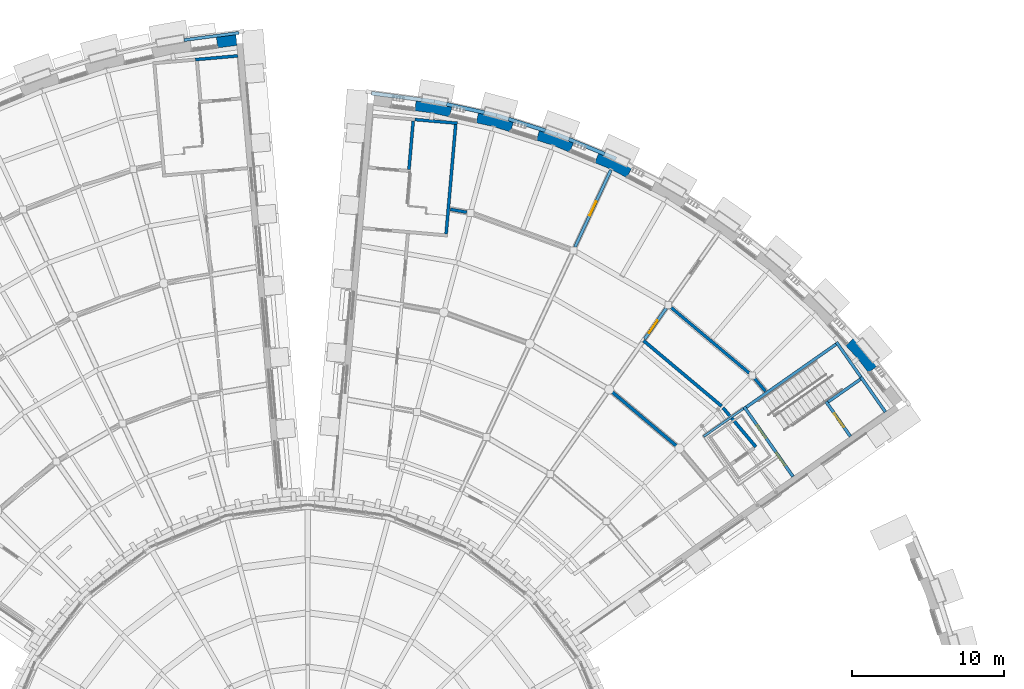
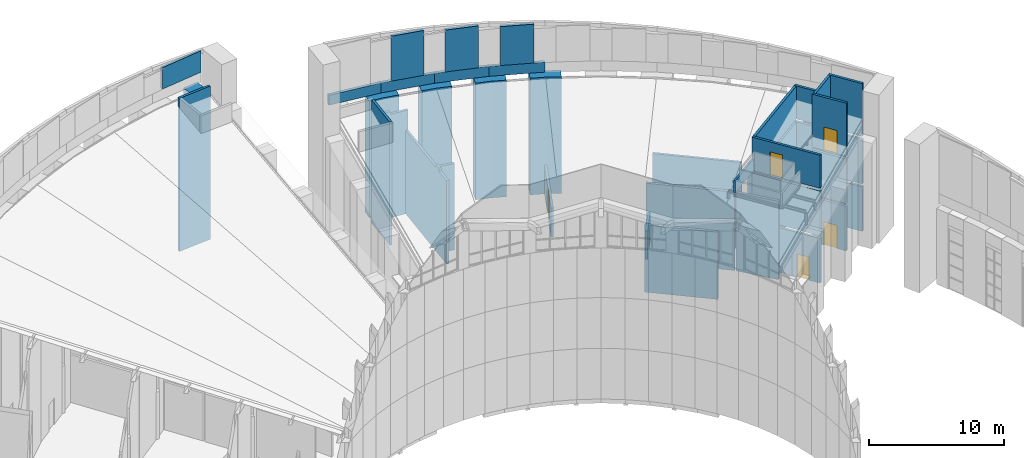
# One storey, part 61 of 82: 45 walls, 6 doors, 6 openings.
"""IFC4 building model written with IfcOpenShell, lengths in metres."""

from ifc_helpers import new_model, si_unit, direction, frame, frame_2d, origin, place, context, subcontext, project, spatial, polyline, rectangle, outline, extrude, material, layer, layer_set, type_object, element, fill, save


model = new_model("IFC4")

# Units and contexts
model_context = context("Model", 3, precision=1e-05, world=origin(), true_north=direction((0.0, 1.0)))
body_context = subcontext(model_context, "Body", "Model", "MODEL_VIEW")
ifc_project = project(units=[si_unit("LENGTHUNIT", "METRE"), si_unit("AREAUNIT", "SQUARE_METRE"), si_unit("VOLUMEUNIT", "CUBIC_METRE"), si_unit("PLANEANGLEUNIT", "RADIAN"), si_unit("MASSUNIT", "GRAM", prefix="KILO")], contexts=[model_context])

# Site, building, storey
site_placement = place(None, origin())
site = spatial("IfcSite", under=ifc_project, at=site_placement, CompositionType="ELEMENT")
building_placement = place(site_placement, origin())
building = spatial("IfcBuilding", under=site, at=building_placement, Name="Volute Hill Aquarium", CompositionType="ELEMENT")
storey_placement = place(building_placement, frame((0.0, 0.0, 13.800048828125)))
storey = spatial("IfcBuildingStorey", under=building, at=storey_placement, Name="L04", CompositionType="ELEMENT", Elevation=13.800048828125)

# Wall, opening, door
ifc_material_1 = material(Name="Concrete C30/37", Category="concrete")
ifc_layer_1 = layer(ifc_material_1, 0.199951171875)
ifc_layer_set_1 = layer_set([ifc_layer_1], Name="Core wall 200 REI 60")
wall_type_1 = type_object("IfcWallType", Name="Core wall 200 REI 60", PredefinedType="SHEAR", material=ifc_layer_set_1)
wall_1_placement = place(storey_placement, frame((31.873291015625, 22.56201171875, 0.0), z_axis=(0.0, 0.0, 1.0), x_axis=(-0.573599855614, 0.819135645446, 0.0)))
wall_1 = element("IfcWall", 1, at=wall_1_placement, inside=storey, type_object=wall_type_1, Name="wc/S5-A/L04/in", PredefinedType="SHEAR", context=body_context, shape_type="SweptSolid", body=[
    extrude(rectangle(XDim=5.60009765625, YDim=0.199951171875, at=frame_2d((2.800048828125, 0.0))), origin(), (0.0, 0.0, 1.0), 4.050048828125),
])
opening_1_placement = place(wall_1_placement, frame((0.89990234375, 0.0, 0.0)))
opening_1 = element("IfcOpeningElement", 2, at=opening_1_placement, cuts=wall_1, Name="Opening D5.04.AS", PredefinedType="OPENING", context=body_context, shape_type="SweptSolid", body=[
    extrude(rectangle(XDim=1.0, YDim=2.10009765625, at=frame_2d((0.5, 1.050048828125))), frame((0.0, 0.10986328125, 0.0), z_axis=(0.0, -1.0, 0.0), x_axis=(1.0, 0.0, 0.0)), (0.0, 0.0, 1.0), 0.219970703125),
])
ifc_material_2 = material(Name="Timber, fire-rated", Category="wood")
door_type_1 = type_object("IfcDoorType", Name="Door 1000 x 2100 single EI1 30", OperationType="SINGLE_SWING_LEFT", PredefinedType="DOOR", material=ifc_material_2)
door_1_placement = place(opening_1_placement, origin())
door_1 = element("IfcDoor", 3, at=door_1_placement, inside=storey, type_object=door_type_1, Name="d/S5-A/L04/st", OperationType="SINGLE_SWING_RIGHT", OverallHeight=2.10009765625, OverallWidth=1.0, PredefinedType="DOOR", context=body_context, shape_type="SweptSolid", body=[
    extrude(rectangle(XDim=1.0, YDim=2.10009765625, at=frame_2d((0.5, 1.050048828125))), frame((0.0, 0.02490234375, 0.0), z_axis=(0.0, -1.0, 0.0), x_axis=(1.0, 0.0, 0.0)), (0.0, 0.0, 1.0), 0.050048828125),
])
fill(opening_1, door_1)

# Wall
wall_2_placement = place(storey_placement, frame((31.873291015625, 22.56201171875, 4.300048828125), z_axis=(0.0, 0.0, 1.0), x_axis=(-0.573599855614, 0.819135645446, 0.0)))
element("IfcWall", 4, at=wall_2_placement, inside=storey, type_object=wall_type_1, Name="wc/S5-A/L04/in-m1", PredefinedType="SHEAR", context=body_context, shape_type="SweptSolid", body=[
    extrude(rectangle(XDim=5.60009765625, YDim=0.199951171875, at=frame_2d((2.800048828125, 0.0))), origin(), (0.0, 0.0, 1.0), 4.0498046875),
])

# Wall, opening, door
wall_3_placement = place(storey_placement, frame((31.873291015625, 22.56201171875, 8.599853515625), z_axis=(0.0, 0.0, 1.0), x_axis=(-0.573599855614, 0.819135645446, 0.0)))
wall_3 = element("IfcWall", 5, at=wall_3_placement, inside=storey, type_object=wall_type_1, Name="wc/S5-A/L04/in-h", PredefinedType="SHEAR", context=body_context, shape_type="SweptSolid", body=[
    extrude(rectangle(XDim=5.60009765625, YDim=0.199951171875, at=frame_2d((2.800048828125, 0.0))), origin(), (0.0, 0.0, 1.0), 3.0),
])
opening_2_placement = place(wall_3_placement, frame((3.10009765625, 0.0, 0.0)))
opening_2 = element("IfcOpeningElement", 6, at=opening_2_placement, cuts=wall_3, Name="Opening D5.04.AG", PredefinedType="OPENING", context=body_context, shape_type="SweptSolid", body=[
    extrude(rectangle(XDim=1.0, YDim=2.10009765625, at=frame_2d((0.5, 1.050048828125))), frame((0.0, 0.10986328125, 0.0), z_axis=(0.0, -1.0, 0.0), x_axis=(1.0, 0.0, 0.0)), (0.0, 0.0, 1.0), 0.219970703125),
])
door_2_placement = place(opening_2_placement, origin())
door_2 = element("IfcDoor", 7, at=door_2_placement, inside=storey, type_object=door_type_1, Name="d/S5-A/L04/gd", OperationType="SINGLE_SWING_LEFT", OverallHeight=2.10009765625, OverallWidth=1.0, PredefinedType="DOOR", context=body_context, shape_type="SweptSolid", body=[
    extrude(rectangle(XDim=1.0, YDim=2.10009765625, at=frame_2d((0.5, 1.050048828125))), frame((0.0, 0.02490234375, 0.0), z_axis=(0.0, -1.0, 0.0), x_axis=(1.0, 0.0, 0.0)), (0.0, 0.0, 1.0), 0.050048828125),
])
fill(opening_2, door_2)

# Walls
wall_4_placement = place(storey_placement, frame((28.80029296875, 27.124755859375, 0.0), z_axis=(0.0, 0.0, 1.0), x_axis=(0.819161821637, 0.573562472597, 0.0)))
element("IfcWall", 8, at=wall_4_placement, inside=storey, type_object=wall_type_1, Name="wc/S5-A/L04/side", PredefinedType="SHEAR", context=body_context, shape_type="SweptSolid", body=[
    extrude(rectangle(XDim=7.199951171875, YDim=0.199951171875, at=frame_2d((3.60009765625, 0.0))), origin(), (0.0, 0.0, 1.0), 4.050048828125),
])
wall_5_placement = place(storey_placement, frame((28.80029296875, 27.124755859375, 4.300048828125), z_axis=(0.0, 0.0, 1.0), x_axis=(0.819161821637, 0.573562472597, 0.0)))
element("IfcWall", 9, at=wall_5_placement, inside=storey, type_object=wall_type_1, Name="wc/S5-A/L04/side-m1", PredefinedType="SHEAR", context=body_context, shape_type="SweptSolid", body=[
    extrude(rectangle(XDim=7.199951171875, YDim=0.199951171875, at=frame_2d((3.60009765625, 0.0))), origin(), (0.0, 0.0, 1.0), 4.0498046875),
])
wall_6_placement = place(storey_placement, frame((28.80029296875, 27.124755859375, 8.599853515625), z_axis=(0.0, 0.0, 1.0), x_axis=(0.819161821637, 0.573562472597, 0.0)))
element("IfcWall", 10, at=wall_6_placement, inside=storey, type_object=wall_type_1, Name="wc/S5-A/L04/side-h", PredefinedType="SHEAR", context=body_context, shape_type="SweptSolid", body=[
    extrude(rectangle(XDim=7.199951171875, YDim=0.199951171875, at=frame_2d((3.60009765625, 0.0))), origin(), (0.0, 0.0, 1.0), 3.0),
])
wall_7_placement = place(storey_placement, frame((36.328857421875, 29.10009765625, 0.0), z_axis=(0.0, 0.0, 1.0), x_axis=(-0.573550118428, 0.819170471667, 0.0)))
element("IfcWall", 11, at=wall_7_placement, inside=storey, type_object=wall_type_1, Name="wc/S5-A/L04/out-b", PredefinedType="SHEAR", context=body_context, shape_type="SweptSolid", body=[
    extrude(rectangle(XDim=2.800048828125, YDim=0.199951171875, at=frame_2d((1.39990234375, 0.0))), origin(), (0.0, 0.0, 1.0), 4.050048828125),
])
wall_8_placement = place(storey_placement, frame((36.328857421875, 29.10009765625, 4.300048828125), z_axis=(0.0, 0.0, 1.0), x_axis=(-0.573550118428, 0.819170471667, 0.0)))
element("IfcWall", 12, at=wall_8_placement, inside=storey, type_object=wall_type_1, Name="wc/S5-A/L04/out-b-m1", PredefinedType="SHEAR", context=body_context, shape_type="SweptSolid", body=[
    extrude(rectangle(XDim=2.800048828125, YDim=0.199951171875, at=frame_2d((1.39990234375, 0.0))), origin(), (0.0, 0.0, 1.0), 4.0498046875),
])
wall_9_placement = place(storey_placement, frame((36.328857421875, 29.10009765625, 8.599853515625), z_axis=(0.0, 0.0, 1.0), x_axis=(-0.573550118428, 0.819170471667, 0.0)))
element("IfcWall", 13, at=wall_9_placement, inside=storey, type_object=wall_type_1, Name="wc/S5-A/L04/out-b-h", PredefinedType="SHEAR", context=body_context, shape_type="SweptSolid", body=[
    extrude(rectangle(XDim=2.800048828125, YDim=0.199951171875, at=frame_2d((1.39990234375, 0.0))), origin(), (0.0, 0.0, 1.0), 3.0),
])
wall_10_placement = place(storey_placement, frame((9.090576171875, 38.504150390625, 0.0), z_axis=(0.0, 0.0, 1.0), x_axis=(0.087144656612, 0.996195667941, 0.0)))
element("IfcWall", 14, at=wall_10_placement, inside=storey, type_object=wall_type_1, Name="wc/S5-B/L04/side", PredefinedType="SHEAR", context=body_context, shape_type="SweptSolid", body=[
    extrude(outline(polyline([(0.0, 0.0), (7.199951171875, 0.0), (7.199951171875, 7.57763671875), (1.93017578125, 7.57763671875), (1.880126953125, 7.857421875), (1.380126953125, 7.857421875), (1.330078125, 7.57763671875), (0.0, 7.57763671875), (0.0, 0.0)])), frame((0.0, 0.10009765625, 0.0), z_axis=(0.0, -1.0, 0.0), x_axis=(1.0, 0.0, 0.0)), (0.0, 0.0, 1.0), 0.199951171875),
])
wall_11_placement = place(storey_placement, frame((7.037109375, 46.01171875, 0.0), z_axis=(0.0, 0.0, 1.0), x_axis=(0.996191351034, -0.087193991338, 0.0)))
element("IfcWall", 15, at=wall_11_placement, inside=storey, type_object=wall_type_1, Name="wc/S5-B/L04/out-b", PredefinedType="SHEAR", context=body_context, shape_type="SweptSolid", body=[
    extrude(outline(polyline([(0.0, 0.0), (2.800048828125, 0.0), (2.800048828125, 9.373046875), (1.37255859375, 9.373046875), (1.322509765625, 9.640380859375), (0.822509765625, 9.640380859375), (0.772705078125, 9.373046875), (0.0, 9.373046875), (0.0, 0.0)])), frame((0.0, 0.10009765625, 0.0), z_axis=(0.0, -1.0, 0.0), x_axis=(1.0, 0.0, 0.0)), (0.0, 0.0, 1.0), 0.199951171875),
])
ifc_material_3 = material(Name="Precast concrete C40/50", Category="concrete")
ifc_layer_2 = layer(ifc_material_3, 0.199951171875)
ifc_layer_set_2 = layer_set([ifc_layer_2], Name="Crown screen wall precast concrete C40/50 200")
wall_type_2 = type_object("IfcWallType", Name="Crown screen wall precast concrete C40/50 200", PredefinedType="NOTDEFINED", material=ifc_layer_set_2)
wall_12_placement = place(storey_placement, frame((0.0, 0.0, 14.199951171875)))
element("IfcWall", 16, at=wall_12_placement, inside=storey, type_object=wall_type_2, Name="Crown screen wall CSW S6 1", PredefinedType="NOTDEFINED", context=body_context, shape_type="SweptSolid", body=[
    extrude(outline(polyline([(-4.5322265625, 51.802490234375), (-8.139404296875, 51.32763671875), (-8.104736328125, 51.13037109375), (-4.5146484375, 51.60302734375), (-4.5322265625, 51.802490234375)])), origin(), (0.0, 0.0, 1.0), 1.949951171875),
])
ifc_material_4 = material(Name="Precast concrete C40/50", Category="concrete")
ifc_layer_3 = layer(ifc_material_4, 0.25)
ifc_layer_set_3 = layer_set([ifc_layer_3], Name="Crown screen wall precast concrete C40/50 250")
wall_type_3 = type_object("IfcWallType", Name="Crown screen wall precast concrete C40/50 250", PredefinedType="NOTDEFINED", material=ifc_layer_set_3)
wall_13_placement = place(storey_placement, frame((0.0, 0.0, 11.48046875)))
element("IfcWall", 17, at=wall_13_placement, inside=storey, type_object=wall_type_3, Name="Crown screen wall CSW S5 7", PredefinedType="NOTDEFINED", context=body_context, shape_type="SweptSolid", body=[
    extrude(outline(polyline([(19.540771484375, 43.865966796875), (17.200439453125, 44.83544921875), (17.11474609375, 44.60009765625), (19.43505859375, 43.63916015625), (19.540771484375, 43.865966796875)])), origin(), (0.0, 0.0, 1.0), 3.523681640625),
])
wall_14_placement = place(storey_placement, frame((0.0, 0.0, 11.48046875)))
element("IfcWall", 18, at=wall_14_placement, inside=storey, type_object=wall_type_3, Name="Crown screen wall CSW S5 8", PredefinedType="NOTDEFINED", context=body_context, shape_type="SweptSolid", body=[
    extrude(outline(polyline([(15.643310546875, 45.402099609375), (13.227294921875, 46.163818359375), (13.162353515625, 45.922119140625), (15.557861328125, 45.1669921875), (15.643310546875, 45.402099609375)])), origin(), (0.0, 0.0, 1.0), 3.795654296875),
])
wall_15_placement = place(storey_placement, frame((0.0, 0.0, 11.48046875)))
element("IfcWall", 19, at=wall_15_placement, inside=storey, type_object=wall_type_3, Name="Crown screen wall CSW S5 9", PredefinedType="NOTDEFINED", context=body_context, shape_type="SweptSolid", body=[
    extrude(outline(polyline([(11.626708984375, 46.592529296875), (9.153564453125, 47.140869140625), (9.110107421875, 46.89453125), (11.56201171875, 46.350830078125), (11.626708984375, 46.592529296875)])), origin(), (0.0, 0.0, 1.0), 4.067626953125),
])
ifc_material_5 = material(Name="Masonry blockwork", Category="masonry")
ifc_layer_4 = layer(ifc_material_5, 0.199951171875)
ifc_layer_set_4 = layer_set([ifc_layer_4], Name="Fire partition 200 EI 60")
wall_type_4 = type_object("IfcWallType", Name="Fire partition 200 EI 60", PredefinedType="PARTITIONING", material=ifc_layer_set_4)
wall_16_placement = place(storey_placement, frame((23.865234375, 33.66650390625, 0.0), z_axis=(0.0, 0.0, 1.0), x_axis=(0.766057023057, -0.642772617202, 0.0)))
element("IfcWall", 20, at=wall_16_placement, inside=storey, type_object=wall_type_4, Name="pw/S5/L04/003", PredefinedType="PARTITIONING", context=body_context, shape_type="SweptSolid", body=[
    extrude(rectangle(XDim=6.71728515625, YDim=0.199951171875, at=frame_2d((3.358642578125, 0.0))), origin(), (0.0, 0.0, 1.0), 7.83740234375),
])

# Wall, opening, door
wall_17_placement = place(storey_placement, frame((23.5439453125, 33.624267578125, 0.0), z_axis=(0.0, 0.0, 1.0), x_axis=(-0.573542174541, -0.819176033599, 0.0)))
wall_17 = element("IfcWall", 21, at=wall_17_placement, inside=storey, type_object=wall_type_4, Name="pw/S5/L04/007", PredefinedType="PARTITIONING", context=body_context, shape_type="SweptSolid", body=[
    extrude(rectangle(XDim=2.462890625, YDim=0.199951171875, at=frame_2d((1.2314453125, 0.0))), origin(), (0.0, 0.0, 1.0), 2.621826171875),
])
opening_3_placement = place(wall_17_placement, frame((0.9814453125, 0.0, 0.0)))
opening_3 = element("IfcOpeningElement", 22, at=opening_3_placement, cuts=wall_17, Name="Opening D5.04.08", PredefinedType="OPENING", context=body_context, shape_type="SweptSolid", body=[
    extrude(rectangle(XDim=1.0, YDim=2.10009765625, at=frame_2d((0.5, 1.050048828125))), frame((0.0, 0.10986328125, 0.0), z_axis=(0.0, -1.0, 0.0), x_axis=(1.0, 0.0, 0.0)), (0.0, 0.0, 1.0), 0.219970703125),
])
door_3_placement = place(opening_3_placement, origin())
door_3 = element("IfcDoor", 23, at=door_3_placement, inside=storey, type_object=door_type_1, Name="d/S5/L04/08", OperationType="SINGLE_SWING_RIGHT", OverallHeight=2.10009765625, OverallWidth=1.0, PredefinedType="DOOR", context=body_context, shape_type="SweptSolid", body=[
    extrude(rectangle(XDim=1.0, YDim=2.10009765625, at=frame_2d((0.5, 1.050048828125))), frame((0.0, 0.02490234375, 0.0), z_axis=(0.0, -1.0, 0.0), x_axis=(1.0, 0.0, 0.0)), (0.0, 0.0, 1.0), 0.050048828125),
])
fill(opening_3, door_3)

wall_18_placement = place(storey_placement, frame((19.913818359375, 42.705078125, 0.0), z_axis=(0.0, 0.0, 1.0), x_axis=(-0.422617785161, -0.906308009269, 0.0)))
wall_18 = element("IfcWall", 24, at=wall_18_placement, inside=storey, type_object=wall_type_4, Name="pw/S5/L04/009", PredefinedType="PARTITIONING", context=body_context, shape_type="SweptSolid", body=[
    extrude(rectangle(XDim=5.592529296875, YDim=0.199951171875, at=frame_2d((2.79638671875, 0.0))), origin(), (0.0, 0.0, 1.0), 2.621826171875),
])
opening_4_placement = place(wall_18_placement, frame((2.29638671875, 0.0, 0.0)))
opening_4 = element("IfcOpeningElement", 25, at=opening_4_placement, cuts=wall_18, Name="Opening D5.04.10", PredefinedType="OPENING", context=body_context, shape_type="SweptSolid", body=[
    extrude(rectangle(XDim=1.0, YDim=2.10009765625, at=frame_2d((0.5, 1.050048828125))), frame((0.0, 0.10986328125, 0.0), z_axis=(0.0, -1.0, 0.0), x_axis=(1.0, 0.0, 0.0)), (0.0, 0.0, 1.0), 0.219970703125),
])
door_4_placement = place(opening_4_placement, origin())
door_4 = element("IfcDoor", 26, at=door_4_placement, inside=storey, type_object=door_type_1, Name="d/S5/L04/10", OperationType="SINGLE_SWING_RIGHT", OverallHeight=2.10009765625, OverallWidth=1.0, PredefinedType="DOOR", context=body_context, shape_type="SweptSolid", body=[
    extrude(rectangle(XDim=1.0, YDim=2.10009765625, at=frame_2d((0.5, 1.050048828125))), frame((0.0, 0.02490234375, 0.0), z_axis=(0.0, -1.0, 0.0), x_axis=(1.0, 0.0, 0.0)), (0.0, 0.0, 1.0), 0.050048828125),
])
fill(opening_4, door_4)

# Walls
for number, where, z_axis, x_axis, name in (
    (27, (9.36181640625, 40.1142578125, 0.0), (0.0, 0.0, 1.0), (0.984796905189, -0.173709687495, 0.0), "pw/S5/L04/037"),
    (28, (29.348876953125, 29.010986328125, 0.0), (0.0, 0.0, 1.0), (0.642875879514, -0.765970367272, 0.0), "pw/S5/L04/038"),
):
    element("IfcWall", number, at=place(storey_placement, frame(where, z_axis=z_axis, x_axis=x_axis)), inside=storey, type_object=wall_type_4, Name=name, PredefinedType="PARTITIONING", context=body_context, shape_type="SweptSolid", body=[
        extrude(rectangle(XDim=1.104736328125, YDim=0.199951171875, at=frame_2d((0.55224609375, 0.0))), origin(), (0.0, 0.0, 1.0), 7.83740234375),
    ])
ifc_material_6 = material(Name="Precast concrete C40/50", Category="concrete")
ifc_layer_5 = layer(ifc_material_6, 0.89990234375)
ifc_layer_set_5 = layer_set([ifc_layer_5], Name="Outer pier precast concrete C40/50 900")
wall_type_5 = type_object("IfcWallType", Name="Outer pier precast concrete C40/50 900", PredefinedType="NOTDEFINED", material=ifc_layer_set_5)
wall_19_placement = place(storey_placement, origin())
element("IfcWall", 29, at=wall_19_placement, inside=storey, type_object=wall_type_5, Name="Outer pier OWP S5 L04 2", PredefinedType="NOTDEFINED", context=body_context, shape_type="SweptSolid", body=[
    extrude(outline(polyline([(36.8271484375, 29.3837890625), (37.541259765625, 29.931640625), (35.995849609375, 31.773193359375), (35.332275390625, 31.165283203125), (36.11865234375, 30.30712890625), (36.8271484375, 29.3837890625)])), origin(), (0.0, 0.0, 1.0), 10.58056640625),
])
wall_20_placement = place(storey_placement, origin())
element("IfcWall", 30, at=wall_20_placement, inside=storey, type_object=wall_type_5, Name="Outer pier OWP S5 L04 7", PredefinedType="NOTDEFINED", context=body_context, shape_type="SweptSolid", body=[
    extrude(outline(polyline([(20.95849609375, 42.194580078125), (21.374267578125, 42.992919921875), (19.1953125, 44.009033203125), (18.85107421875, 43.177490234375), (19.92626953125, 42.73193359375), (20.95849609375, 42.194580078125)])), origin(), (0.0, 0.0, 1.0), 10.58056640625),
])
wall_21_placement = place(storey_placement, origin())
element("IfcWall", 31, at=wall_21_placement, inside=storey, type_object=wall_type_5, Name="Outer pier OWP S5 L04 8", PredefinedType="NOTDEFINED", context=body_context, shape_type="SweptSolid", body=[
    extrude(outline(polyline([(17.201416015625, 43.86083984375), (17.545654296875, 44.6923828125), (15.286865234375, 45.514404296875), (15.01611328125, 44.656005859375), (16.126220703125, 44.30615234375), (17.201416015625, 43.86083984375)])), origin(), (0.0, 0.0, 1.0), 10.58056640625),
])
wall_22_placement = place(storey_placement, origin())
element("IfcWall", 32, at=wall_22_placement, inside=storey, type_object=wall_type_5, Name="Outer pier OWP S5 L04 9", PredefinedType="NOTDEFINED", context=body_context, shape_type="SweptSolid", body=[
    extrude(outline(polyline([(13.313232421875, 45.193115234375), (13.583740234375, 46.05126953125), (11.26171875, 46.673583984375), (11.06689453125, 45.794921875), (12.203125, 45.54296875), (13.313232421875, 45.193115234375)])), origin(), (0.0, 0.0, 1.0), 10.58056640625),
])
wall_23_placement = place(storey_placement, origin())
element("IfcWall", 33, at=wall_23_placement, inside=storey, type_object=wall_type_5, Name="Outer pier OWP S5 L04 10", PredefinedType="NOTDEFINED", context=body_context, shape_type="SweptSolid", body=[
    extrude(outline(polyline([(9.32373046875, 46.181396484375), (9.5185546875, 47.06005859375), (7.151123046875, 47.4775390625), (7.03369140625, 46.585205078125), (8.1875, 46.433349609375), (9.32373046875, 46.181396484375)])), origin(), (0.0, 0.0, 1.0), 10.58056640625),
])
wall_24_placement = place(storey_placement, origin())
element("IfcWall", 34, at=wall_24_placement, inside=storey, type_object=wall_type_5, Name="Outer pier OWP S6 L04 1", PredefinedType="NOTDEFINED", context=body_context, shape_type="SweptSolid", body=[
    extrude(outline(polyline([(-4.652099609375, 50.87890625), (-4.730712890625, 51.7763671875), (-6.020751953125, 51.6064453125), (-5.9033203125, 50.714111328125), (-4.652099609375, 50.87890625)])), origin(), (0.0, 0.0, 1.0), 13.300048828125),
])
ifc_material_7 = material(Name="Concrete C30/37", Category="concrete")
ifc_layer_6 = layer(ifc_material_7, 0.14990234375)
ifc_layer_set_6 = layer_set([ifc_layer_6], Name="Plant platform parapet C30/37 150")
wall_type_6 = type_object("IfcWallType", Name="Plant platform parapet C30/37 150", PredefinedType="PARAPET", material=ifc_layer_set_6)
wall_25_placement = place(storey_placement, frame((26.0009765625, 25.195068359375, 8.599853515625), z_axis=(0.0, 0.0, 1.0), x_axis=(0.819156644649, 0.573569866301, 0.0)))
element("IfcWall", 35, at=wall_25_placement, inside=storey, type_object=wall_type_6, Name="pf/S5/L04/parapet2", PredefinedType="PARAPET", context=body_context, shape_type="SweptSolid", body=[
    extrude(rectangle(XDim=3.199951171875, YDim=0.14990234375, at=frame_2d((1.60009765625, 0.0))), origin(), (0.0, 0.0, 1.0), 1.10009765625),
])
ifc_material_8 = material(Name="Masonry blockwork", Category="masonry")
ifc_layer_7 = layer(ifc_material_8, 0.215087890625)
ifc_layer_set_7 = layer_set([ifc_layer_7], Name="Plant room wall 215 EI 60")
wall_type_7 = type_object("IfcWallType", Name="Plant room wall 215 EI 60", PredefinedType="PARTITIONING", material=ifc_layer_set_7)
wall_26_placement = place(storey_placement, frame((22.052490234375, 31.494140625, 0.0), z_axis=(0.0, 0.0, 1.0), x_axis=(0.766037035483, -0.64279643766, 0.0)))
element("IfcWall", 36, at=wall_26_placement, inside=storey, type_object=wall_type_7, Name="pw/S5/L04/004", PredefinedType="PARTITIONING", context=body_context, shape_type="SweptSolid", body=[
    extrude(rectangle(XDim=6.70166015625, YDim=0.215087890625, at=frame_2d((3.350830078125, 0.0))), origin(), (0.0, 0.0, 1.0), 7.107177734375),
])
wall_27_placement = place(storey_placement, frame((19.986572265625, 28.126953125, 0.0), z_axis=(0.0, 0.0, 1.0), x_axis=(0.766045187475, -0.642786722597, 0.0)))
element("IfcWall", 37, at=wall_27_placement, inside=storey, type_object=wall_type_7, Name="pw/S5/L04/012", PredefinedType="PARTITIONING", context=body_context, shape_type="SweptSolid", body=[
    extrude(rectangle(XDim=5.5380859375, YDim=0.215087890625, at=frame_2d((2.76904296875, 0.0))), origin(), (0.0, 0.0, 1.0), 6.0986328125),
])
wall_28_placement = place(storey_placement, frame((27.274658203125, 27.0810546875, 0.0), z_axis=(0.0, 0.0, 1.0), x_axis=(0.642759831177, -0.766067751198, 0.0)))
element("IfcWall", 38, at=wall_28_placement, inside=storey, type_object=wall_type_7, Name="pw/S5/L04/022", PredefinedType="PARTITIONING", context=body_context, shape_type="SweptSolid", body=[
    extrude(rectangle(XDim=3.35205078125, YDim=0.215087890625, at=frame_2d((1.676025390625, 0.0))), origin(), (0.0, 0.0, 1.0), 7.107177734375),
])
ifc_material_9 = material(Name="Precast concrete C40/50", Category="concrete")
ifc_layer_8 = layer(ifc_material_9, 0.25)
ifc_layer_set_8 = layer_set([ifc_layer_8], Name="Roof edge parapet precast concrete C40/50 250")
wall_type_8 = type_object("IfcWallType", Name="Roof edge parapet precast concrete C40/50 250", PredefinedType="PARAPET", material=ifc_layer_set_8)
wall_29_placement = place(storey_placement, frame((0.0, 0.0, 10.58056640625)))
element("IfcWall", 39, at=wall_29_placement, inside=storey, type_object=wall_type_8, Name="Roof edge parapet PAR S5 7", PredefinedType="PARAPET", context=body_context, shape_type="SweptSolid", body=[
    extrude(outline(polyline([(20.201171875, 43.32177734375), (20.306884765625, 43.548583984375), (16.43408203125, 45.152587890625), (16.3486328125, 44.91748046875), (20.201171875, 43.32177734375)])), origin(), (0.0, 0.0, 1.0), 0.89990234375),
])
wall_30_placement = place(storey_placement, frame((0.0, 0.0, 10.58056640625)))
element("IfcWall", 40, at=wall_30_placement, inside=storey, type_object=wall_type_8, Name="Roof edge parapet PAR S5 8", PredefinedType="PARAPET", context=body_context, shape_type="SweptSolid", body=[
    extrude(outline(polyline([(16.3486328125, 44.91748046875), (16.434326171875, 45.152587890625), (12.436279296875, 46.4130859375), (12.37158203125, 46.17138671875), (16.3486328125, 44.91748046875)])), origin(), (0.0, 0.0, 1.0), 0.89990234375),
])
wall_31_placement = place(storey_placement, frame((0.0, 0.0, 10.58056640625)))
element("IfcWall", 41, at=wall_31_placement, inside=storey, type_object=wall_type_8, Name="Roof edge parapet PAR S5 9", PredefinedType="PARAPET", context=body_context, shape_type="SweptSolid", body=[
    extrude(outline(polyline([(12.37158203125, 46.17138671875), (12.436279296875, 46.4130859375), (8.34375, 47.3203125), (8.30029296875, 47.073974609375), (12.37158203125, 46.17138671875)])), origin(), (0.0, 0.0, 1.0), 0.89990234375),
])
wall_32_placement = place(storey_placement, frame((0.0, 0.0, 10.58056640625)))
element("IfcWall", 42, at=wall_32_placement, inside=storey, type_object=wall_type_8, Name="Roof edge parapet PAR S5 10", PredefinedType="PARAPET", context=body_context, shape_type="SweptSolid", body=[
    extrude(outline(polyline([(4.18798828125, 47.86767578125), (4.166015625, 47.618408203125), (8.300537109375, 47.073974609375), (8.343994140625, 47.3203125), (4.18798828125, 47.86767578125)])), origin(), (0.0, 0.0, 1.0), 0.89990234375),
])
ifc_material_10 = material(Name="Concrete C30/37", Category="concrete")
ifc_layer_9 = layer(ifc_material_10, 0.199951171875)
ifc_layer_set_9 = layer_set([ifc_layer_9], Name="Shaft wall 200 EI 60")
wall_type_9 = type_object("IfcWallType", Name="Shaft wall 200 EI 60", PredefinedType="SOLIDWALL", material=ifc_layer_set_9)
wall_33_placement = place(storey_placement, frame((37.934814453125, 26.806396484375, 0.0), z_axis=(0.0, 0.0, 1.0), x_axis=(-0.573550118428, 0.819170471667, 0.0)))
element("IfcWall", 43, at=wall_33_placement, inside=storey, type_object=wall_type_9, Name="wc/S5-A/L04/out-a", PredefinedType="SOLIDWALL", context=body_context, shape_type="SweptSolid", body=[
    extrude(rectangle(XDim=2.800048828125, YDim=0.199951171875, at=frame_2d((1.39990234375, 0.0))), origin(), (0.0, 0.0, 1.0), 4.050048828125),
])
wall_34_placement = place(storey_placement, frame((37.934814453125, 26.806396484375, 4.300048828125), z_axis=(0.0, 0.0, 1.0), x_axis=(-0.573550118428, 0.819170471667, 0.0)))
element("IfcWall", 44, at=wall_34_placement, inside=storey, type_object=wall_type_9, Name="wc/S5-A/L04/out-a-m1", PredefinedType="SOLIDWALL", context=body_context, shape_type="SweptSolid", body=[
    extrude(rectangle(XDim=2.800048828125, YDim=0.199951171875, at=frame_2d((1.39990234375, 0.0))), origin(), (0.0, 0.0, 1.0), 4.0498046875),
])
wall_35_placement = place(storey_placement, frame((37.934814453125, 26.806396484375, 8.599853515625), z_axis=(0.0, 0.0, 1.0), x_axis=(-0.573550118428, 0.819170471667, 0.0)))
element("IfcWall", 45, at=wall_35_placement, inside=storey, type_object=wall_type_9, Name="wc/S5-A/L04/out-a-h", PredefinedType="SOLIDWALL", context=body_context, shape_type="SweptSolid", body=[
    extrude(rectangle(XDim=2.800048828125, YDim=0.199951171875, at=frame_2d((1.39990234375, 0.0))), origin(), (0.0, 0.0, 1.0), 4.800048828125),
])

# Wall, opening, door
wall_36_placement = place(storey_placement, frame((35.641357421875, 25.200439453125, 0.0), z_axis=(0.0, 0.0, 1.0), x_axis=(-0.573550118428, 0.819170471667, 0.0)))
wall_36 = element("IfcWall", 46, at=wall_36_placement, inside=storey, type_object=wall_type_9, Name="wc/S5-A/L04/front", PredefinedType="SOLIDWALL", context=body_context, shape_type="SweptSolid", body=[
    extrude(rectangle(XDim=2.800048828125, YDim=0.199951171875, at=frame_2d((1.39990234375, 0.0))), origin(), (0.0, 0.0, 1.0), 4.050048828125),
])
opening_5_placement = place(wall_36_placement, frame((0.75, 0.0, 0.0)))
opening_5 = element("IfcOpeningElement", 47, at=opening_5_placement, cuts=wall_36, Name="Opening LD5.04.A", PredefinedType="OPENING", context=body_context, shape_type="SweptSolid", body=[
    extrude(rectangle(XDim=1.10009765625, YDim=2.10009765625, at=frame_2d((0.550048828125, 1.050048828125))), frame((0.0, 0.10986328125, 0.0), z_axis=(0.0, -1.0, 0.0), x_axis=(1.0, 0.0, 0.0)), (0.0, 0.0, 1.0), 0.219970703125),
])
ifc_material_11 = material(Name="Stainless steel", Category="steel")
door_type_2 = type_object("IfcDoorType", Name="Lift landing door 1100 x 2100", OperationType="SLIDING_TO_LEFT", PredefinedType="DOOR", material=ifc_material_11)
door_5_placement = place(opening_5_placement, origin())
door_5 = element("IfcDoor", 48, at=door_5_placement, inside=storey, type_object=door_type_2, Name="d/S5-A/L04/ld", OperationType="SLIDING_TO_LEFT", OverallHeight=2.10009765625, OverallWidth=1.10009765625, PredefinedType="DOOR", context=body_context, shape_type="SweptSolid", body=[
    extrude(rectangle(XDim=1.10009765625, YDim=2.10009765625, at=frame_2d((0.550048828125, 1.050048828125))), frame((0.0, 0.02490234375, 0.0), z_axis=(0.0, -1.0, 0.0), x_axis=(1.0, 0.0, 0.0)), (0.0, 0.0, 1.0), 0.050048828125),
])
fill(opening_5, door_5)

# Wall
wall_37_placement = place(storey_placement, frame((35.641357421875, 25.200439453125, 4.300048828125), z_axis=(0.0, 0.0, 1.0), x_axis=(-0.573550118428, 0.819170471667, 0.0)))
element("IfcWall", 49, at=wall_37_placement, inside=storey, type_object=wall_type_9, Name="wc/S5-A/L04/front-m1", PredefinedType="SOLIDWALL", context=body_context, shape_type="SweptSolid", body=[
    extrude(rectangle(XDim=2.800048828125, YDim=0.199951171875, at=frame_2d((1.39990234375, 0.0))), origin(), (0.0, 0.0, 1.0), 4.0498046875),
])

# Wall, opening, door
wall_38_placement = place(storey_placement, frame((35.641357421875, 25.200439453125, 8.599853515625), z_axis=(0.0, 0.0, 1.0), x_axis=(-0.573550118428, 0.819170471667, 0.0)))
wall_38 = element("IfcWall", 50, at=wall_38_placement, inside=storey, type_object=wall_type_9, Name="wc/S5-A/L04/front-h", PredefinedType="SOLIDWALL", context=body_context, shape_type="SweptSolid", body=[
    extrude(rectangle(XDim=2.800048828125, YDim=0.199951171875, at=frame_2d((1.39990234375, 0.0))), origin(), (0.0, 0.0, 1.0), 4.800048828125),
])
opening_6_placement = place(wall_38_placement, frame((0.75, 0.0, 0.0)))
opening_6 = element("IfcOpeningElement", 51, at=opening_6_placement, cuts=wall_38, Name="Opening LD5.04.AR", PredefinedType="OPENING", context=body_context, shape_type="SweptSolid", body=[
    extrude(rectangle(XDim=1.10009765625, YDim=2.10009765625, at=frame_2d((0.550048828125, 1.050048828125))), frame((0.0, 0.10986328125, 0.0), z_axis=(0.0, -1.0, 0.0), x_axis=(1.0, 0.0, 0.0)), (0.0, 0.0, 1.0), 0.219970703125),
])
door_6_placement = place(opening_6_placement, origin())
door_6 = element("IfcDoor", 52, at=door_6_placement, inside=storey, type_object=door_type_2, Name="d/S5-A/L04/ldr", OperationType="SLIDING_TO_LEFT", OverallHeight=2.10009765625, OverallWidth=1.10009765625, PredefinedType="DOOR", context=body_context, shape_type="SweptSolid", body=[
    extrude(rectangle(XDim=1.10009765625, YDim=2.10009765625, at=frame_2d((0.550048828125, 1.050048828125))), frame((0.0, 0.02490234375, 0.0), z_axis=(0.0, -1.0, 0.0), x_axis=(1.0, 0.0, 0.0)), (0.0, 0.0, 1.0), 0.050048828125),
])
fill(opening_6, door_6)

# Walls
wall_39_placement = place(storey_placement, frame((34.174560546875, 27.469482421875, 0.0), z_axis=(0.0, 0.0, 1.0), x_axis=(0.819148089014, 0.573582085028, 0.0)))
element("IfcWall", 53, at=wall_39_placement, inside=storey, type_object=wall_type_9, Name="wc/S5-A/L04/shaft-side", PredefinedType="SOLIDWALL", context=body_context, shape_type="SweptSolid", body=[
    extrude(rectangle(XDim=2.599853515625, YDim=0.199951171875, at=frame_2d((1.2998046875, 0.0))), origin(), (0.0, 0.0, 1.0), 4.050048828125),
])
wall_40_placement = place(storey_placement, frame((34.174560546875, 27.469482421875, 4.300048828125), z_axis=(0.0, 0.0, 1.0), x_axis=(0.819148089014, 0.573582085028, 0.0)))
element("IfcWall", 54, at=wall_40_placement, inside=storey, type_object=wall_type_9, Name="wc/S5-A/L04/shaft-side-m1", PredefinedType="SOLIDWALL", context=body_context, shape_type="SweptSolid", body=[
    extrude(rectangle(XDim=2.599853515625, YDim=0.199951171875, at=frame_2d((1.2998046875, 0.0))), origin(), (0.0, 0.0, 1.0), 4.0498046875),
])
wall_41_placement = place(storey_placement, frame((34.174560546875, 27.469482421875, 8.599853515625), z_axis=(0.0, 0.0, 1.0), x_axis=(0.819148089014, 0.573582085028, 0.0)))
element("IfcWall", 55, at=wall_41_placement, inside=storey, type_object=wall_type_9, Name="wc/S5-A/L04/shaft-side-h", PredefinedType="SOLIDWALL", context=body_context, shape_type="SweptSolid", body=[
    extrude(rectangle(XDim=2.599853515625, YDim=0.199951171875, at=frame_2d((1.2998046875, 0.0))), origin(), (0.0, 0.0, 1.0), 4.800048828125),
])
wall_42_placement = place(storey_placement, frame((6.649658203125, 42.73291015625, 0.0), z_axis=(0.0, 0.0, 1.0), x_axis=(0.087199127005, 0.996190901509, 0.0)))
element("IfcWall", 56, at=wall_42_placement, inside=storey, type_object=wall_type_9, Name="wc/S5-B/L04/shaft-side", PredefinedType="SOLIDWALL", context=body_context, shape_type="SweptSolid", body=[
    extrude(rectangle(XDim=3.2001953125, YDim=0.199951171875, at=frame_2d((1.60009765625, 0.0))), origin(), (0.0, 0.0, 1.0), 11.179931640625),
])
wall_43_placement = place(storey_placement, frame((-4.591796875, 50.19091796875, 0.0), z_axis=(0.0, 0.0, 1.0), x_axis=(-0.996191351034, -0.087193991338, 0.0)))
element("IfcWall", 57, at=wall_43_placement, inside=storey, type_object=wall_type_9, Name="wc/S6-A/L04/out-a", PredefinedType="SOLIDWALL", context=body_context, shape_type="SweptSolid", body=[
    extrude(rectangle(XDim=2.800048828125, YDim=0.199951171875, at=frame_2d((1.39990234375, 0.0))), origin(), (0.0, 0.0, 1.0), 13.89599609375),
])

save(model, "model.ifc")
